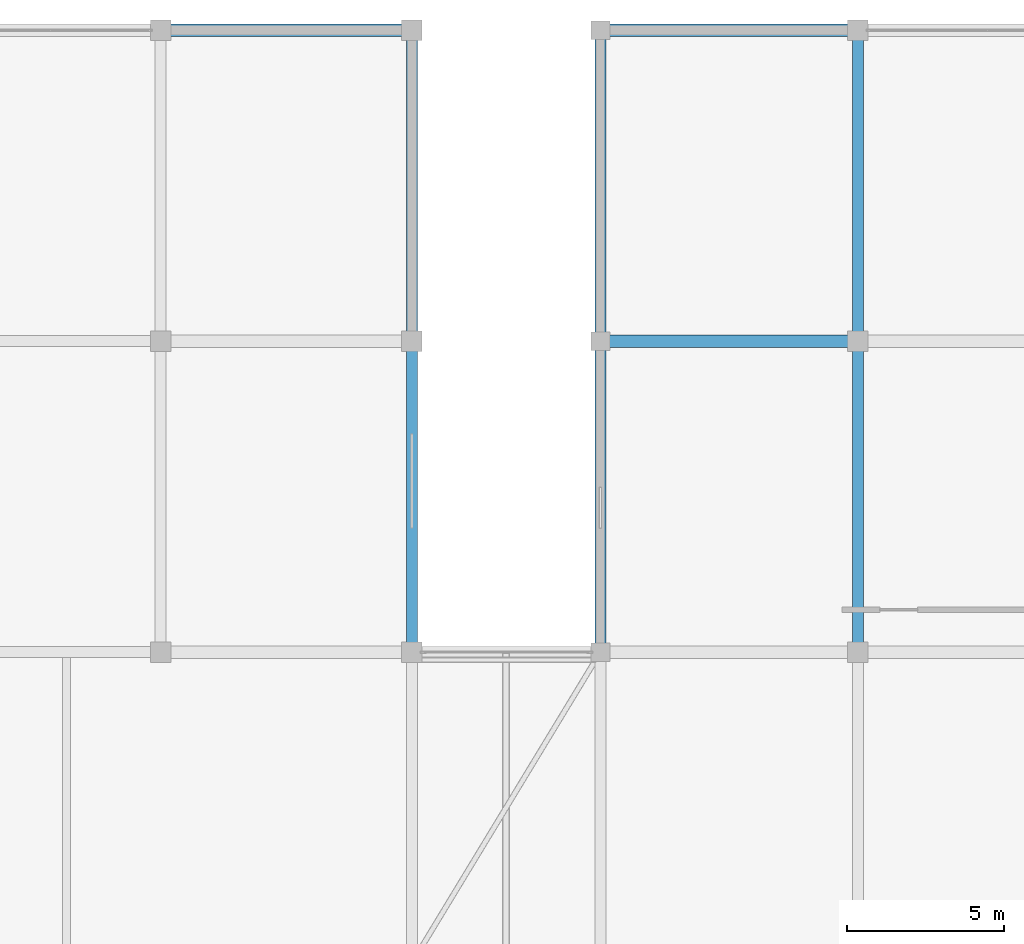
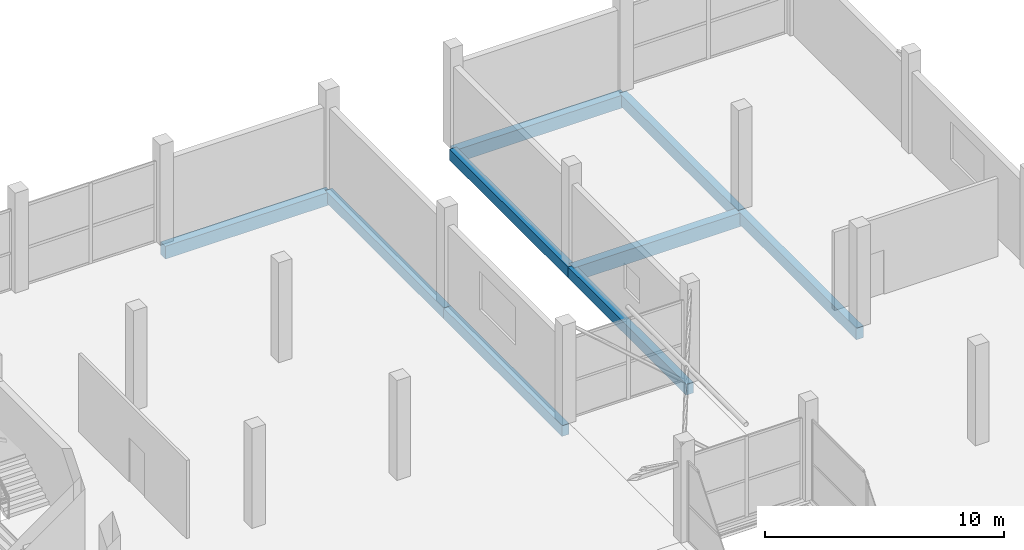
# One storey, part 43 of 66: 9 beams.
"""IFC4 building model written with IfcOpenShell, lengths in metres."""

from ifc_helpers import new_model, si_unit, direction, frame, origin, origin_2d, place, context, subcontext, project, spatial, rectangle, extrude, material, material_profile, profile_set, type_object, element, save


model = new_model("IFC4")

# Units and contexts
model_context = context("Model", 3, precision=1e-05, world=origin(), true_north=direction((0.0, 1.0)))
body_context = subcontext(model_context, "Body", "Model", "MODEL_VIEW")
ifc_project = project(units=[si_unit("LENGTHUNIT", "METRE"), si_unit("AREAUNIT", "SQUARE_METRE"), si_unit("VOLUMEUNIT", "CUBIC_METRE"), si_unit("PLANEANGLEUNIT", "RADIAN"), si_unit("MASSUNIT", "GRAM", prefix="KILO")], contexts=[model_context])

# Site, building, storey
site_placement = place(None, origin())
site = spatial("IfcSite", under=ifc_project, at=site_placement, CompositionType="ELEMENT")
building_placement = place(site_placement, origin())
building = spatial("IfcBuilding", under=site, at=building_placement, Name="Sillaruma Civic Art Gallery", CompositionType="ELEMENT")
storey_placement = place(building_placement, frame((0.0, 0.0, 57.1201171875)))
storey = spatial("IfcBuildingStorey", under=building, at=storey_placement, Name="L11", CompositionType="ELEMENT", Elevation=57.1201171875)

# Beams
ifc_material = material(Name="Concrete H35 (35 MPa)", Category="concrete")
ifc_material_profile_1 = material_profile(ifc_material, rectangle(XDim=0.35009765625, YDim=0.60009765625, at=origin_2d()), Name="RCB350x600")
ifc_profile_set_1 = profile_set([ifc_material_profile_1], Name="Concrete H35 (35 MPa)")
beam_type_1 = type_object("IfcBeamType", Name="BM-BEAM-RCB350x600", PredefinedType="BEAM", material=ifc_profile_set_1)
beam_1_placement = place(storey_placement, frame((106.199951171875, 79.199951171875, -0.550048828125), z_axis=(0.0, 1.0, 0.0), x_axis=(-1.0, 0.0, 0.0)))
element("IfcBeam", 1, at=beam_1_placement, inside=storey, type_object=beam_type_1, Name="Beam BM-06 (L10:M:9-10)", PredefinedType="BEAM", context=body_context, shape_type="SweptSolid", body=[
    extrude(rectangle(XDim=0.35009765625, YDim=0.60009765625, at=origin_2d()), origin(), (0.0, 0.0, 1.0), 9.900146484375),
])
beam_2_placement = place(storey_placement, frame((106.199951171875, 89.10009765625, -0.550048828125), z_axis=(0.0, 1.0, 0.0), x_axis=(-1.0, 0.0, 0.0)))
element("IfcBeam", 2, at=beam_2_placement, inside=storey, type_object=beam_type_1, Name="Beam BM-06 (L10:M:10-11)", PredefinedType="BEAM", context=body_context, shape_type="SweptSolid", body=[
    extrude(rectangle(XDim=0.35009765625, YDim=0.60009765625, at=origin_2d()), origin(), (0.0, 0.0, 1.0), 9.89990234375),
])
ifc_material_profile_2 = material_profile(ifc_material, rectangle(XDim=0.39990234375, YDim=0.699951171875, at=origin_2d()), Name="RCB400x700")
ifc_profile_set_2 = profile_set([ifc_material_profile_2], Name="Concrete H35 (35 MPa)")
beam_type_2 = type_object("IfcBeamType", Name="BM-BEAM-RCB400x700", PredefinedType="BEAM", material=ifc_profile_set_2)
beam_3_placement = place(storey_placement, frame((98.0, 89.10009765625, -0.60009765625), z_axis=(1.0, 0.0, 0.0), x_axis=(0.0, 1.0, 0.0)))
element("IfcBeam", 3, at=beam_3_placement, inside=storey, type_object=beam_type_2, Name="Beam BM-04 (L10:10:L-M)", PredefinedType="BEAM", context=body_context, shape_type="SweptSolid", body=[
    extrude(rectangle(XDim=0.39990234375, YDim=0.699951171875, at=origin_2d()), origin(), (0.0, 0.0, 1.0), 8.199951171875),
])
ifc_material_profile_3 = material_profile(ifc_material, rectangle(XDim=0.35009765625, YDim=0.550048828125, at=origin_2d()), Name="RCB350x550")
ifc_profile_set_3 = profile_set([ifc_material_profile_3], Name="Concrete H35 (35 MPa)")
beam_type_3 = type_object("IfcBeamType", Name="BM-SPANDREL-RCB350x550", PredefinedType="SPANDREL", material=ifc_profile_set_3)
beam_4_placement = place(storey_placement, frame((92.0, 79.199951171875, -0.525146484375), z_axis=(0.0, 1.0, 0.0), x_axis=(-1.0, 0.0, 0.0)))
element("IfcBeam", 4, at=beam_4_placement, inside=storey, type_object=beam_type_3, Name="Beam BS-04 (L10:K:9-10)", PredefinedType="SPANDREL", context=body_context, shape_type="SweptSolid", body=[
    extrude(rectangle(XDim=0.35009765625, YDim=0.550048828125, at=origin_2d()), origin(), (0.0, 0.0, 1.0), 9.900146484375),
])
beam_5_placement = place(storey_placement, frame((92.0, 89.10009765625, -0.525146484375), z_axis=(0.0, 1.0, 0.0), x_axis=(-1.0, 0.0, 0.0)))
element("IfcBeam", 5, at=beam_5_placement, inside=storey, type_object=beam_type_3, Name="Beam BS-04 (L10:K:10-11)", PredefinedType="SPANDREL", context=body_context, shape_type="SweptSolid", body=[
    extrude(rectangle(XDim=0.35009765625, YDim=0.550048828125, at=origin_2d()), origin(), (0.0, 0.0, 1.0), 9.89990234375),
])
beam_6_placement = place(storey_placement, frame((98.0, 79.199951171875, -0.525146484375), z_axis=(0.0, 1.0, 0.0), x_axis=(-1.0, 0.0, 0.0)))
element("IfcBeam", 6, at=beam_6_placement, inside=storey, type_object=beam_type_3, Name="Beam BS-04 (L10:L:9-10)", PredefinedType="SPANDREL", context=body_context, shape_type="SweptSolid", body=[
    extrude(rectangle(XDim=0.35009765625, YDim=0.550048828125, at=origin_2d()), origin(), (0.0, 0.0, 1.0), 9.900146484375),
])
beam_7_placement = place(storey_placement, frame((98.0, 89.10009765625, -0.525146484375), z_axis=(0.0, 1.0, 0.0), x_axis=(-1.0, 0.0, 0.0)))
element("IfcBeam", 7, at=beam_7_placement, inside=storey, type_object=beam_type_3, Name="Beam BS-04 (L10:L:10-11)", PredefinedType="SPANDREL", context=body_context, shape_type="SweptSolid", body=[
    extrude(rectangle(XDim=0.35009765625, YDim=0.550048828125, at=origin_2d()), origin(), (0.0, 0.0, 1.0), 9.89990234375),
])
ifc_material_profile_4 = material_profile(ifc_material, rectangle(XDim=0.39990234375, YDim=0.64990234375, at=origin_2d()), Name="RCB400x650")
ifc_profile_set_4 = profile_set([ifc_material_profile_4], Name="Concrete H35 (35 MPa)")
beam_type_4 = type_object("IfcBeamType", Name="BM-SPANDREL-RCB400x650", PredefinedType="SPANDREL", material=ifc_profile_set_4)
beam_8_placement = place(storey_placement, frame((84.0, 99.0, -0.5751953125), z_axis=(1.0, 0.0, 0.0), x_axis=(0.0, 1.0, 0.0)))
element("IfcBeam", 8, at=beam_8_placement, inside=storey, type_object=beam_type_4, Name="Beam BS-02 (L10:11:J-K)", PredefinedType="SPANDREL", context=body_context, shape_type="SweptSolid", body=[
    extrude(rectangle(XDim=0.39990234375, YDim=0.64990234375, at=origin_2d()), origin(), (0.0, 0.0, 1.0), 8.0),
])
beam_9_placement = place(storey_placement, frame((98.0, 99.0, -0.5751953125), z_axis=(1.0, 0.0, 0.0), x_axis=(0.0, 1.0, 0.0)))
element("IfcBeam", 9, at=beam_9_placement, inside=storey, type_object=beam_type_4, Name="Beam BS-02 (L10:11:L-M)", PredefinedType="SPANDREL", context=body_context, shape_type="SweptSolid", body=[
    extrude(rectangle(XDim=0.39990234375, YDim=0.64990234375, at=origin_2d()), origin(), (0.0, 0.0, 1.0), 8.199951171875),
])

save(model, "model.ifc")
